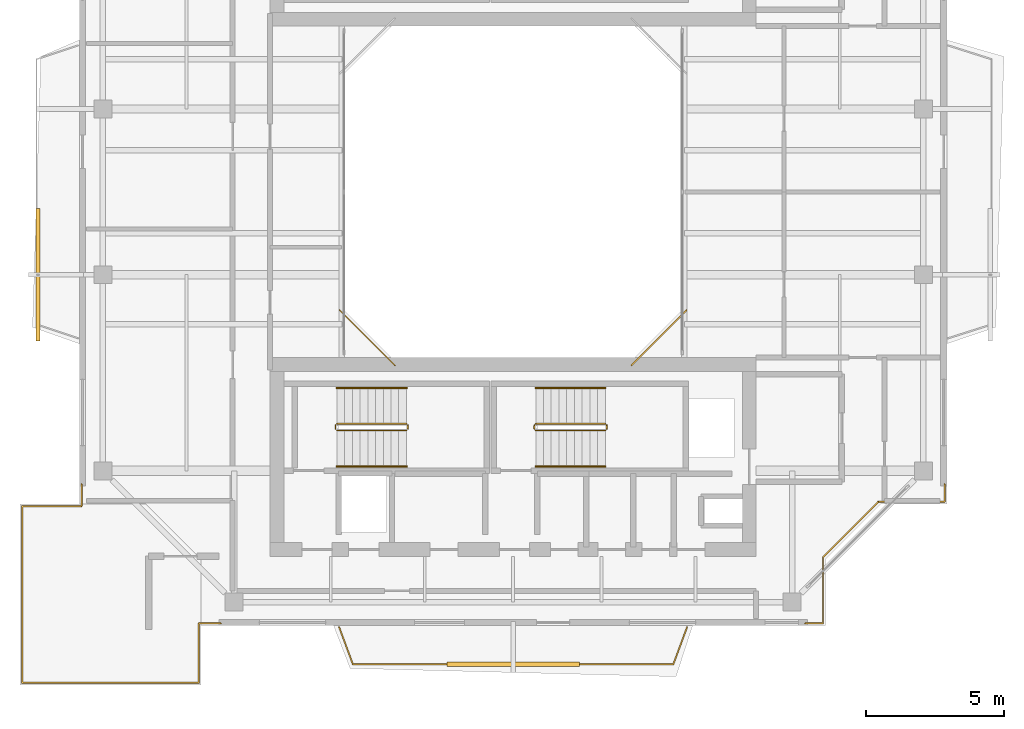
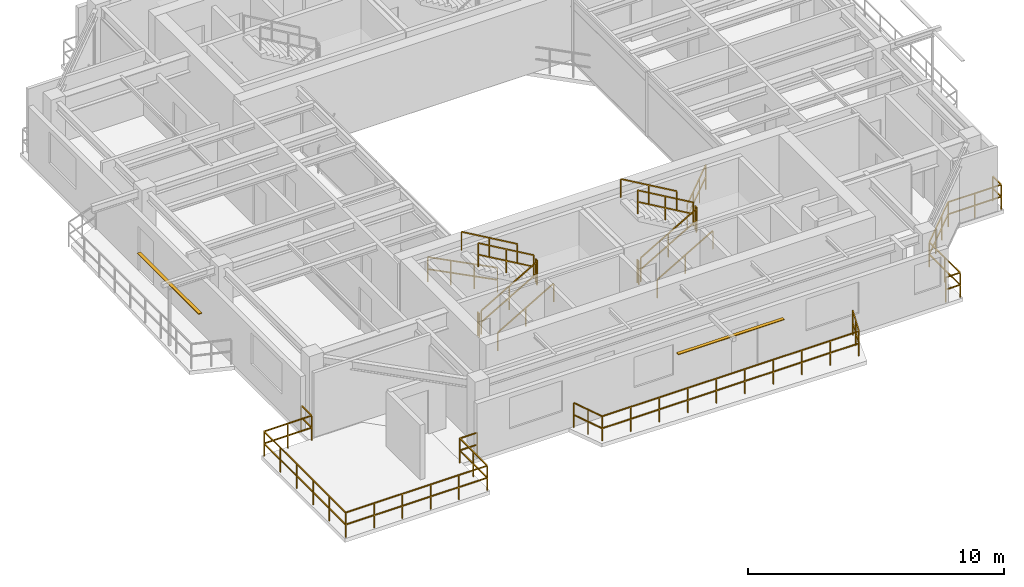
# One storey, part 12 of 14: 17 railings, 2 shading devices.
"""IFC4 building model written with IfcOpenShell, lengths in metres."""

from ifc_helpers import new_model, si_unit, direction, frame, origin, origin_2d, place, context, subcontext, project, spatial, rectangle, extrude, source, transform, mapped, material, material_profile, profile_set, type_object, element, save


model = new_model("IFC4")

# Units and contexts
model_context = context("Model", 3, precision=1e-05, world=origin(), true_north=direction((0.0, 1.0)))
body_context = subcontext(model_context, "Body", "Model", "MODEL_VIEW")
ifc_project = project(units=[si_unit("LENGTHUNIT", "METRE"), si_unit("AREAUNIT", "SQUARE_METRE"), si_unit("VOLUMEUNIT", "CUBIC_METRE"), si_unit("PLANEANGLEUNIT", "RADIAN"), si_unit("MASSUNIT", "GRAM", prefix="KILO"), si_unit("THERMODYNAMICTEMPERATUREUNIT", "KELVIN"), si_unit("POWERUNIT", "WATT")], contexts=[model_context])

# Site, building, storey
site_placement = place(None, origin())
site = spatial("IfcSite", under=ifc_project, at=site_placement, CompositionType="ELEMENT")
building_placement = place(site_placement, origin())
building = spatial("IfcBuilding", under=site, at=building_placement, Name="Qiaomeng Ring Towers", CompositionType="ELEMENT")
storey_placement = place(building_placement, frame((0.0, 0.0, 243.75)))
storey = spatial("IfcBuildingStorey", under=building, at=storey_placement, Name="L71", CompositionType="ELEMENT", Elevation=243.75)

# Railings
ifc_material_1 = material(Name="Low-E pale-green laminated safety glass", Category="glass")
railing_type_1 = type_object("IfcRailingType", Name="ARC-RL-BAL1", PredefinedType="BALUSTRADE", material=ifc_material_1)
railing_1_placement = place(storey_placement, frame((23.280029296875, 16.719970703125, 0.0)))
element("IfcRailing", 1, at=railing_1_placement, inside=storey, type_object=railing_type_1, Name="L71 Balustrade ARC-BAL-WELL1-L71-1", PredefinedType="BALUSTRADE", context=body_context, shape_type="SweptSolid", body=[
    extrude(rectangle(XDim=0.048095703125, YDim=0.048095703125, at=origin_2d()), frame((0.0, 0.0, 1.17578125), z_axis=(0.707106781187, 0.707106781187, 0.0), x_axis=(-0.707106781187, 0.707106781187, 0.0)), (0.0, 0.0, 1.0), 2.828369140625),
    extrude(rectangle(XDim=0.048095703125, YDim=0.048095703125, at=origin_2d()), frame((0.0, 0.0, 0.60009765625), z_axis=(0.707106781187, 0.707106781187, 0.0), x_axis=(-0.707106781187, 0.707106781187, 0.0)), (0.0, 0.0, 1.0), 2.828369140625),
    extrude(rectangle(XDim=0.0419921875, YDim=0.0419921875, at=origin_2d()), origin(), (0.0, 0.0, 1.0), 1.15185546875),
    extrude(rectangle(XDim=0.0419921875, YDim=0.0419921875, at=origin_2d()), frame((0.666748046875, 0.666748046875, 0.0)), (0.0, 0.0, 1.0), 1.15185546875),
    extrude(rectangle(XDim=0.0419921875, YDim=0.0419921875, at=origin_2d()), frame((1.333251953125, 1.333251953125, 0.0)), (0.0, 0.0, 1.0), 1.15185546875),
    extrude(rectangle(XDim=0.0419921875, YDim=0.0419921875, at=origin_2d()), frame((2.0, 2.0, 0.0)), (0.0, 0.0, 1.0), 1.15185546875),
])
railing_2_placement = place(storey_placement, frame((12.719970703125, 18.719970703125, 0.0)))
element("IfcRailing", 2, at=railing_2_placement, inside=storey, type_object=railing_type_1, Name="L71 Balustrade ARC-BAL-WELL1-L71-4", PredefinedType="BALUSTRADE", context=body_context, shape_type="SweptSolid", body=[
    extrude(rectangle(XDim=0.048095703125, YDim=0.048095703125, at=origin_2d()), frame((0.0, 0.0, 1.17578125), z_axis=(0.707106781187, -0.707106781187, 0.0), x_axis=(0.707106781187, 0.707106781187, 0.0)), (0.0, 0.0, 1.0), 2.828369140625),
    extrude(rectangle(XDim=0.048095703125, YDim=0.048095703125, at=origin_2d()), frame((0.0, 0.0, 0.60009765625), z_axis=(0.707106781187, -0.707106781187, 0.0), x_axis=(0.707106781187, 0.707106781187, 0.0)), (0.0, 0.0, 1.0), 2.828369140625),
    extrude(rectangle(XDim=0.0419921875, YDim=0.0419921875, at=origin_2d()), origin(), (0.0, 0.0, 1.0), 1.15185546875),
    extrude(rectangle(XDim=0.0419921875, YDim=0.0419921875, at=origin_2d()), frame((0.666748046875, -0.666748046875, 0.0)), (0.0, 0.0, 1.0), 1.15185546875),
    extrude(rectangle(XDim=0.0419921875, YDim=0.0419921875, at=origin_2d()), frame((1.333251953125, -1.333251953125, 0.0)), (0.0, 0.0, 1.0), 1.15185546875),
    extrude(rectangle(XDim=0.0419921875, YDim=0.0419921875, at=origin_2d()), frame((2.0, -2.0, 0.0)), (0.0, 0.0, 1.0), 1.15185546875),
])
railing_3_placement = place(storey_placement, frame((29.570068359375, 7.3798828125, 0.0)))
element("IfcRailing", 3, at=railing_3_placement, inside=storey, type_object=railing_type_1, Name="L71 Balustrade ARC-BAL-NOTCH1-L71-SE", PredefinedType="BALUSTRADE", context=body_context, shape_type="SweptSolid", body=[
    extrude(rectangle(XDim=0.048095703125, YDim=0.048095703125, at=origin_2d()), frame((0.0, 0.0, 1.17578125), z_axis=(1.0, 0.0, 0.0), x_axis=(0.0, 1.0, 0.0)), (0.0, 0.0, 1.0), 0.64990234375),
    extrude(rectangle(XDim=0.048095703125, YDim=0.048095703125, at=origin_2d()), frame((0.0, 0.0, 0.60009765625), z_axis=(1.0, 0.0, 0.0), x_axis=(0.0, 1.0, 0.0)), (0.0, 0.0, 1.0), 0.64990234375),
    extrude(rectangle(XDim=0.048095703125, YDim=0.048095703125, at=origin_2d()), frame((0.64990234375, 0.0, 1.17578125), z_axis=(0.0, 1.0, 0.0), x_axis=(-1.0, 0.0, 0.0)), (0.0, 0.0, 1.0), 2.400146484375),
    extrude(rectangle(XDim=0.048095703125, YDim=0.048095703125, at=origin_2d()), frame((0.64990234375, 0.0, 0.60009765625), z_axis=(0.0, 1.0, 0.0), x_axis=(-1.0, 0.0, 0.0)), (0.0, 0.0, 1.0), 2.400146484375),
    extrude(rectangle(XDim=0.048095703125, YDim=0.048095703125, at=origin_2d()), frame((0.64990234375, 2.400146484375, 1.17578125), z_axis=(0.707106781187, 0.707106781187, 0.0), x_axis=(-0.707106781187, 0.707106781187, 0.0)), (0.0, 0.0, 1.0), 2.828369140625),
    extrude(rectangle(XDim=0.048095703125, YDim=0.048095703125, at=origin_2d()), frame((0.64990234375, 2.400146484375, 0.60009765625), z_axis=(0.707106781187, 0.707106781187, 0.0), x_axis=(-0.707106781187, 0.707106781187, 0.0)), (0.0, 0.0, 1.0), 2.828369140625),
    extrude(rectangle(XDim=0.048095703125, YDim=0.048095703125, at=origin_2d()), frame((2.64990234375, 4.400146484375, 1.17578125), z_axis=(1.0, 0.0, 0.0), x_axis=(0.0, 1.0, 0.0)), (0.0, 0.0, 1.0), 2.400146484375),
    extrude(rectangle(XDim=0.048095703125, YDim=0.048095703125, at=origin_2d()), frame((2.64990234375, 4.400146484375, 0.60009765625), z_axis=(1.0, 0.0, 0.0), x_axis=(0.0, 1.0, 0.0)), (0.0, 0.0, 1.0), 2.400146484375),
    extrude(rectangle(XDim=0.048095703125, YDim=0.048095703125, at=origin_2d()), frame((5.050048828125, 4.400146484375, 1.17578125), z_axis=(0.0, 1.0, 0.0), x_axis=(-1.0, 0.0, 0.0)), (0.0, 0.0, 1.0), 0.64990234375),
    extrude(rectangle(XDim=0.048095703125, YDim=0.048095703125, at=origin_2d()), frame((5.050048828125, 4.400146484375, 0.60009765625), z_axis=(0.0, 1.0, 0.0), x_axis=(-1.0, 0.0, 0.0)), (0.0, 0.0, 1.0), 0.64990234375),
    extrude(rectangle(XDim=0.0419921875, YDim=0.0419921875, at=origin_2d()), origin(), (0.0, 0.0, 1.0), 1.15185546875),
    extrude(rectangle(XDim=0.0419921875, YDim=0.0419921875, at=origin_2d()), frame((0.64990234375, 0.0, 0.0)), (0.0, 0.0, 1.0), 1.15185546875),
    extrude(rectangle(XDim=0.0419921875, YDim=0.0419921875, at=origin_2d()), frame((0.64990234375, 1.2001953125, 0.0)), (0.0, 0.0, 1.0), 1.15185546875),
    extrude(rectangle(XDim=0.0419921875, YDim=0.0419921875, at=origin_2d()), frame((0.64990234375, 2.400146484375, 0.0)), (0.0, 0.0, 1.0), 1.15185546875),
    extrude(rectangle(XDim=0.0419921875, YDim=0.0419921875, at=origin_2d()), frame((1.316650390625, 3.06689453125, 0.0)), (0.0, 0.0, 1.0), 1.15185546875),
    extrude(rectangle(XDim=0.0419921875, YDim=0.0419921875, at=origin_2d()), frame((1.983154296875, 3.7333984375, 0.0)), (0.0, 0.0, 1.0), 1.15185546875),
    extrude(rectangle(XDim=0.0419921875, YDim=0.0419921875, at=origin_2d()), frame((2.64990234375, 4.400146484375, 0.0)), (0.0, 0.0, 1.0), 1.15185546875),
    extrude(rectangle(XDim=0.0419921875, YDim=0.0419921875, at=origin_2d()), frame((3.85009765625, 4.400146484375, 0.0)), (0.0, 0.0, 1.0), 1.15185546875),
    extrude(rectangle(XDim=0.0419921875, YDim=0.0419921875, at=origin_2d()), frame((5.050048828125, 4.400146484375, 0.0)), (0.0, 0.0, 1.0), 1.15185546875),
    extrude(rectangle(XDim=0.0419921875, YDim=0.0419921875, at=origin_2d()), frame((5.050048828125, 5.050048828125, 0.0)), (0.0, 0.0, 1.0), 1.15185546875),
])
railing_4_placement = place(storey_placement, frame((3.3798828125, 12.419921875, 0.0)))
element("IfcRailing", 4, at=railing_4_placement, inside=storey, type_object=railing_type_1, Name="L71 Balustrade ARC-BAL-L71-SPIRAL-SW", PredefinedType="BALUSTRADE", context=body_context, shape_type="SweptSolid", body=[
    extrude(rectangle(XDim=0.048095703125, YDim=0.048095703125, at=origin_2d()), frame((0.0, 0.0, 1.17578125), z_axis=(0.0, -1.0, 0.0), x_axis=(1.0, 0.0, 0.0)), (0.0, 0.0, 1.0), 0.7998046875),
    extrude(rectangle(XDim=0.048095703125, YDim=0.048095703125, at=origin_2d()), frame((0.0, 0.0, 0.60009765625), z_axis=(0.0, -1.0, 0.0), x_axis=(1.0, 0.0, 0.0)), (0.0, 0.0, 1.0), 0.7998046875),
    extrude(rectangle(XDim=0.048095703125, YDim=0.048095703125, at=origin_2d()), frame((0.0, -0.7998046875, 1.17578125), z_axis=(-1.0, 0.0, 0.0), x_axis=(0.0, -1.0, 0.0)), (0.0, 0.0, 1.0), 2.14990234375),
    extrude(rectangle(XDim=0.048095703125, YDim=0.048095703125, at=origin_2d()), frame((0.0, -0.7998046875, 0.60009765625), z_axis=(-1.0, 0.0, 0.0), x_axis=(0.0, -1.0, 0.0)), (0.0, 0.0, 1.0), 2.14990234375),
    extrude(rectangle(XDim=0.048095703125, YDim=0.048095703125, at=origin_2d()), frame((-2.14990234375, -0.7998046875, 1.17578125), z_axis=(0.0, -1.0, 0.0), x_axis=(1.0, 0.0, 0.0)), (0.0, 0.0, 1.0), 6.39013671875),
    extrude(rectangle(XDim=0.048095703125, YDim=0.048095703125, at=origin_2d()), frame((-2.14990234375, -0.7998046875, 0.60009765625), z_axis=(0.0, -1.0, 0.0), x_axis=(1.0, 0.0, 0.0)), (0.0, 0.0, 1.0), 6.39013671875),
    extrude(rectangle(XDim=0.048095703125, YDim=0.048095703125, at=origin_2d()), frame((-2.14990234375, -7.18994140625, 1.17578125), z_axis=(1.0, 0.0, 0.0), x_axis=(0.0, 1.0, 0.0)), (0.0, 0.0, 1.0), 6.39013671875),
    extrude(rectangle(XDim=0.048095703125, YDim=0.048095703125, at=origin_2d()), frame((-2.14990234375, -7.18994140625, 0.60009765625), z_axis=(1.0, 0.0, 0.0), x_axis=(0.0, 1.0, 0.0)), (0.0, 0.0, 1.0), 6.39013671875),
    extrude(rectangle(XDim=0.048095703125, YDim=0.048095703125, at=origin_2d()), frame((4.240234375, -7.18994140625, 1.17578125), z_axis=(0.0, 1.0, 0.0), x_axis=(-1.0, 0.0, 0.0)), (0.0, 0.0, 1.0), 2.14990234375),
    extrude(rectangle(XDim=0.048095703125, YDim=0.048095703125, at=origin_2d()), frame((4.240234375, -7.18994140625, 0.60009765625), z_axis=(0.0, 1.0, 0.0), x_axis=(-1.0, 0.0, 0.0)), (0.0, 0.0, 1.0), 2.14990234375),
    extrude(rectangle(XDim=0.048095703125, YDim=0.048095703125, at=origin_2d()), frame((4.240234375, -5.0400390625, 1.17578125), z_axis=(1.0, 0.0, 0.0), x_axis=(0.0, 1.0, 0.0)), (0.0, 0.0, 1.0), 0.7998046875),
    extrude(rectangle(XDim=0.048095703125, YDim=0.048095703125, at=origin_2d()), frame((4.240234375, -5.0400390625, 0.60009765625), z_axis=(1.0, 0.0, 0.0), x_axis=(0.0, 1.0, 0.0)), (0.0, 0.0, 1.0), 0.7998046875),
    extrude(rectangle(XDim=0.0419921875, YDim=0.0419921875, at=origin_2d()), origin(), (0.0, 0.0, 1.0), 1.15185546875),
    extrude(rectangle(XDim=0.0419921875, YDim=0.0419921875, at=origin_2d()), frame((0.0, -0.7998046875, 0.0)), (0.0, 0.0, 1.0), 1.15185546875),
    extrude(rectangle(XDim=0.0419921875, YDim=0.0419921875, at=origin_2d()), frame((-1.074951171875, -0.7998046875, 0.0)), (0.0, 0.0, 1.0), 1.15185546875),
    extrude(rectangle(XDim=0.0419921875, YDim=0.0419921875, at=origin_2d()), frame((-2.14990234375, -0.7998046875, 0.0)), (0.0, 0.0, 1.0), 1.15185546875),
    extrude(rectangle(XDim=0.0419921875, YDim=0.0419921875, at=origin_2d()), frame((-2.14990234375, -2.077880859375, 0.0)), (0.0, 0.0, 1.0), 1.15185546875),
    extrude(rectangle(XDim=0.0419921875, YDim=0.0419921875, at=origin_2d()), frame((-2.14990234375, -3.35595703125, 0.0)), (0.0, 0.0, 1.0), 1.15185546875),
    extrude(rectangle(XDim=0.0419921875, YDim=0.0419921875, at=origin_2d()), frame((-2.14990234375, -4.6337890625, 0.0)), (0.0, 0.0, 1.0), 1.15185546875),
    extrude(rectangle(XDim=0.0419921875, YDim=0.0419921875, at=origin_2d()), frame((-2.14990234375, -5.911865234375, 0.0)), (0.0, 0.0, 1.0), 1.15185546875),
    extrude(rectangle(XDim=0.0419921875, YDim=0.0419921875, at=origin_2d()), frame((-2.14990234375, -7.18994140625, 0.0)), (0.0, 0.0, 1.0), 1.15185546875),
    extrude(rectangle(XDim=0.0419921875, YDim=0.0419921875, at=origin_2d()), frame((-0.871826171875, -7.18994140625, 0.0)), (0.0, 0.0, 1.0), 1.15185546875),
    extrude(rectangle(XDim=0.0419921875, YDim=0.0419921875, at=origin_2d()), frame((0.40625, -7.18994140625, 0.0)), (0.0, 0.0, 1.0), 1.15185546875),
    extrude(rectangle(XDim=0.0419921875, YDim=0.0419921875, at=origin_2d()), frame((1.68408203125, -7.18994140625, 0.0)), (0.0, 0.0, 1.0), 1.15185546875),
    extrude(rectangle(XDim=0.0419921875, YDim=0.0419921875, at=origin_2d()), frame((2.962158203125, -7.18994140625, 0.0)), (0.0, 0.0, 1.0), 1.15185546875),
    extrude(rectangle(XDim=0.0419921875, YDim=0.0419921875, at=origin_2d()), frame((4.240234375, -7.18994140625, 0.0)), (0.0, 0.0, 1.0), 1.15185546875),
    extrude(rectangle(XDim=0.0419921875, YDim=0.0419921875, at=origin_2d()), frame((4.240234375, -6.114990234375, 0.0)), (0.0, 0.0, 1.0), 1.15185546875),
    extrude(rectangle(XDim=0.0419921875, YDim=0.0419921875, at=origin_2d()), frame((4.240234375, -5.0400390625, 0.0)), (0.0, 0.0, 1.0), 1.15185546875),
    extrude(rectangle(XDim=0.0419921875, YDim=0.0419921875, at=origin_2d()), frame((5.0400390625, -5.0400390625, 0.0)), (0.0, 0.0, 1.0), 1.15185546875),
])
railing_5_placement = place(storey_placement, frame((12.699951171875, 7.25, 0.0)))
element("IfcRailing", 5, at=railing_5_placement, inside=storey, type_object=railing_type_1, Name="L71 Balustrade ARC-BAL-L71-T1-S", PredefinedType="BALUSTRADE", context=body_context, shape_type="SweptSolid", body=[
    extrude(rectangle(XDim=0.048095703125, YDim=0.048095703125, at=origin_2d()), frame((0.0, 0.0, 1.17578125), z_axis=(0.34729226376, -0.937756942673, 0.0), x_axis=(0.937756942673, 0.34729226376, 0.0)), (0.0, 0.0, 1.0), 1.439697265625),
    extrude(rectangle(XDim=0.048095703125, YDim=0.048095703125, at=origin_2d()), frame((0.0, 0.0, 0.60009765625), z_axis=(0.34729226376, -0.937756942673, 0.0), x_axis=(0.937756942673, 0.34729226376, 0.0)), (0.0, 0.0, 1.0), 1.439697265625),
    extrude(rectangle(XDim=0.048095703125, YDim=0.048095703125, at=origin_2d()), frame((0.5, -1.35009765625, 1.17578125), z_axis=(1.0, 0.0, 0.0), x_axis=(0.0, 1.0, 0.0)), (0.0, 0.0, 1.0), 11.60009765625),
    extrude(rectangle(XDim=0.048095703125, YDim=0.048095703125, at=origin_2d()), frame((0.5, -1.35009765625, 0.60009765625), z_axis=(1.0, 0.0, 0.0), x_axis=(0.0, 1.0, 0.0)), (0.0, 0.0, 1.0), 11.60009765625),
    extrude(rectangle(XDim=0.048095703125, YDim=0.048095703125, at=origin_2d()), frame((12.10009765625, -1.35009765625, 1.17578125), z_axis=(0.34729226376, 0.937756942673, 0.0), x_axis=(-0.937756942673, 0.34729226376, 0.0)), (0.0, 0.0, 1.0), 1.439697265625),
    extrude(rectangle(XDim=0.048095703125, YDim=0.048095703125, at=origin_2d()), frame((12.10009765625, -1.35009765625, 0.60009765625), z_axis=(0.34729226376, 0.937756942673, 0.0), x_axis=(-0.937756942673, 0.34729226376, 0.0)), (0.0, 0.0, 1.0), 1.439697265625),
    extrude(rectangle(XDim=0.0419921875, YDim=0.0419921875, at=origin_2d()), origin(), (0.0, 0.0, 1.0), 1.15185546875),
    extrude(rectangle(XDim=0.0419921875, YDim=0.0419921875, at=origin_2d()), frame((0.25, -0.675048828125, 0.0)), (0.0, 0.0, 1.0), 1.15185546875),
    extrude(rectangle(XDim=0.0419921875, YDim=0.0419921875, at=origin_2d()), frame((0.5, -1.35009765625, 0.0)), (0.0, 0.0, 1.0), 1.15185546875),
    extrude(rectangle(XDim=0.0419921875, YDim=0.0419921875, at=origin_2d()), frame((1.788818359375, -1.35009765625, 0.0)), (0.0, 0.0, 1.0), 1.15185546875),
    extrude(rectangle(XDim=0.0419921875, YDim=0.0419921875, at=origin_2d()), frame((3.077880859375, -1.35009765625, 0.0)), (0.0, 0.0, 1.0), 1.15185546875),
    extrude(rectangle(XDim=0.0419921875, YDim=0.0419921875, at=origin_2d()), frame((4.36669921875, -1.35009765625, 0.0)), (0.0, 0.0, 1.0), 1.15185546875),
    extrude(rectangle(XDim=0.0419921875, YDim=0.0419921875, at=origin_2d()), frame((5.655517578125, -1.35009765625, 0.0)), (0.0, 0.0, 1.0), 1.15185546875),
    extrude(rectangle(XDim=0.0419921875, YDim=0.0419921875, at=origin_2d()), frame((6.944580078125, -1.35009765625, 0.0)), (0.0, 0.0, 1.0), 1.15185546875),
    extrude(rectangle(XDim=0.0419921875, YDim=0.0419921875, at=origin_2d()), frame((8.2333984375, -1.35009765625, 0.0)), (0.0, 0.0, 1.0), 1.15185546875),
    extrude(rectangle(XDim=0.0419921875, YDim=0.0419921875, at=origin_2d()), frame((9.522216796875, -1.35009765625, 0.0)), (0.0, 0.0, 1.0), 1.15185546875),
    extrude(rectangle(XDim=0.0419921875, YDim=0.0419921875, at=origin_2d()), frame((10.811279296875, -1.35009765625, 0.0)), (0.0, 0.0, 1.0), 1.15185546875),
    extrude(rectangle(XDim=0.0419921875, YDim=0.0419921875, at=origin_2d()), frame((12.10009765625, -1.35009765625, 0.0)), (0.0, 0.0, 1.0), 1.15185546875),
    extrude(rectangle(XDim=0.0419921875, YDim=0.0419921875, at=origin_2d()), frame((12.35009765625, -0.675048828125, 0.0)), (0.0, 0.0, 1.0), 1.15185546875),
    extrude(rectangle(XDim=0.0419921875, YDim=0.0419921875, at=origin_2d()), frame((12.60009765625, 0.0, 0.0)), (0.0, 0.0, 1.0), 1.15185546875),
])
ifc_material_2 = material(Name="Galvanised steel", Category="steel")
railing_type_2 = type_object("IfcRailingType", Name="ARC-RL-GUARD", PredefinedType="GUARDRAIL", material=ifc_material_2)
railing_6_placement = place(storey_placement, frame((12.6201171875, 14.360107421875, 0.16259765625)))
element("IfcRailing", 6, at=railing_6_placement, inside=storey, type_object=railing_type_2, Name="L71 ST3 stair guard 1", PredefinedType="GUARDRAIL", context=body_context, shape_type="SweptSolid", body=[
    extrude(rectangle(XDim=0.048095703125, YDim=0.048095703125, at=origin_2d()), frame((0.0, 0.0, 1.1259765625), z_axis=(0.864892226395, 0.0, 0.501957604506), x_axis=(0.0, 1.0, 0.0)), (0.0, 0.0, 1.0), 2.913330078125),
    extrude(rectangle(XDim=0.048095703125, YDim=0.048095703125, at=origin_2d()), frame((0.0, 0.0, 0.574951171875), z_axis=(0.864892226395, 0.0, 0.501957604506), x_axis=(0.0, 1.0, 0.0)), (0.0, 0.0, 1.0), 2.913330078125),
    extrude(rectangle(XDim=0.0419921875, YDim=0.0419921875, at=origin_2d()), origin(), (0.0, 0.0, 1.0), 1.101806640625),
    extrude(rectangle(XDim=0.0419921875, YDim=0.0419921875, at=origin_2d()), frame((1.259765625, 0.0, 0.731201171875)), (0.0, 0.0, 1.0), 1.101806640625),
    extrude(rectangle(XDim=0.0419921875, YDim=0.0419921875, at=origin_2d()), frame((2.519775390625, 0.0, 1.46240234375)), (0.0, 0.0, 1.0), 1.101806640625),
])
railing_7_placement = place(storey_placement, frame((15.18994140625, 14.409912109375, 1.625)))
element("IfcRailing", 7, at=railing_7_placement, inside=storey, type_object=railing_type_2, Name="L71 ST3 stair guard 2", PredefinedType="GUARDRAIL", context=body_context, shape_type="SweptSolid", body=[
    extrude(rectangle(XDim=0.048095703125, YDim=0.048095703125, at=origin_2d()), frame((0.0, 0.0, 1.1259765625), z_axis=(0.0, 1.0, 0.0), x_axis=(-1.0, 0.0, 0.0)), (0.0, 0.0, 1.0), 0.14013671875),
    extrude(rectangle(XDim=0.048095703125, YDim=0.048095703125, at=origin_2d()), frame((0.0, 0.0, 0.574951171875), z_axis=(0.0, 1.0, 0.0), x_axis=(-1.0, 0.0, 0.0)), (0.0, 0.0, 1.0), 0.14013671875),
    extrude(rectangle(XDim=0.0419921875, YDim=0.0419921875, at=origin_2d()), origin(), (0.0, 0.0, 1.0), 1.101806640625),
    extrude(rectangle(XDim=0.0419921875, YDim=0.0419921875, at=origin_2d()), frame((0.0, 0.14013671875, 0.0)), (0.0, 0.0, 1.0), 1.101806640625),
])
railing_8_placement = place(storey_placement, frame((15.139892578125, 14.60009765625, 1.78759765625)))
element("IfcRailing", 8, at=railing_8_placement, inside=storey, type_object=railing_type_2, Name="L71 ST3 stair guard 3", PredefinedType="GUARDRAIL", context=body_context, shape_type="SweptSolid", body=[
    extrude(rectangle(XDim=0.048095703125, YDim=0.048095703125, at=origin_2d()), frame((0.0, 0.0, 1.1259765625), z_axis=(-0.864892226395, 0.0, 0.501957604506), x_axis=(0.0, -1.0, 0.0)), (0.0, 0.0, 1.0), 2.913330078125),
    extrude(rectangle(XDim=0.048095703125, YDim=0.048095703125, at=origin_2d()), frame((0.0, 0.0, 0.574951171875), z_axis=(-0.864892226395, 0.0, 0.501957604506), x_axis=(0.0, -1.0, 0.0)), (0.0, 0.0, 1.0), 2.913330078125),
    extrude(rectangle(XDim=0.0419921875, YDim=0.0419921875, at=origin_2d()), origin(), (0.0, 0.0, 1.0), 1.101806640625),
    extrude(rectangle(XDim=0.0419921875, YDim=0.0419921875, at=origin_2d()), frame((-1.259765625, 0.0, 0.731201171875)), (0.0, 0.0, 1.0), 1.101806640625),
    extrude(rectangle(XDim=0.0419921875, YDim=0.0419921875, at=origin_2d()), frame((-2.519775390625, 0.0, 1.46240234375)), (0.0, 0.0, 1.0), 1.101806640625),
])
railing_9_placement = place(storey_placement, frame((12.570068359375, 14.409912109375, 0.0)))
element("IfcRailing", 9, at=railing_9_placement, inside=storey, type_object=railing_type_2, Name="L71 ST3 stair guard 4", PredefinedType="GUARDRAIL", context=body_context, shape_type="SweptSolid", body=[
    extrude(rectangle(XDim=0.048095703125, YDim=0.048095703125, at=origin_2d()), frame((0.0, 0.0, 1.1259765625), z_axis=(0.0, 1.0, 0.0), x_axis=(-1.0, 0.0, 0.0)), (0.0, 0.0, 1.0), 0.14013671875),
    extrude(rectangle(XDim=0.048095703125, YDim=0.048095703125, at=origin_2d()), frame((0.0, 0.0, 0.574951171875), z_axis=(0.0, 1.0, 0.0), x_axis=(-1.0, 0.0, 0.0)), (0.0, 0.0, 1.0), 0.14013671875),
    extrude(rectangle(XDim=0.0419921875, YDim=0.0419921875, at=origin_2d()), origin(), (0.0, 0.0, 1.0), 1.101806640625),
    extrude(rectangle(XDim=0.0419921875, YDim=0.0419921875, at=origin_2d()), frame((0.0, 0.14013671875, 0.0)), (0.0, 0.0, 1.0), 1.101806640625),
])
railing_10_placement = place(storey_placement, frame((19.820068359375, 14.360107421875, 0.16259765625)))
element("IfcRailing", 10, at=railing_10_placement, inside=storey, type_object=railing_type_2, Name="L71 ST4 stair guard 1", PredefinedType="GUARDRAIL", context=body_context, shape_type="SweptSolid", body=[
    extrude(rectangle(XDim=0.048095703125, YDim=0.048095703125, at=origin_2d()), frame((0.0, 0.0, 1.1259765625), z_axis=(0.864913338283, 0.0, 0.50192122615), x_axis=(0.0, 1.0, 0.0)), (0.0, 0.0, 1.0), 2.91357421875),
    extrude(rectangle(XDim=0.048095703125, YDim=0.048095703125, at=origin_2d()), frame((0.0, 0.0, 0.574951171875), z_axis=(0.864913338283, 0.0, 0.50192122615), x_axis=(0.0, 1.0, 0.0)), (0.0, 0.0, 1.0), 2.91357421875),
    extrude(rectangle(XDim=0.0419921875, YDim=0.0419921875, at=origin_2d()), origin(), (0.0, 0.0, 1.0), 1.101806640625),
    extrude(rectangle(XDim=0.0419921875, YDim=0.0419921875, at=origin_2d()), frame((1.260009765625, 0.0, 0.731201171875)), (0.0, 0.0, 1.0), 1.101806640625),
    extrude(rectangle(XDim=0.0419921875, YDim=0.0419921875, at=origin_2d()), frame((2.52001953125, 0.0, 1.46240234375)), (0.0, 0.0, 1.0), 1.101806640625),
])
railing_11_placement = place(storey_placement, frame((22.389892578125, 14.409912109375, 1.625)))
element("IfcRailing", 11, at=railing_11_placement, inside=storey, type_object=railing_type_2, Name="L71 ST4 stair guard 2", PredefinedType="GUARDRAIL", context=body_context, shape_type="SweptSolid", body=[
    extrude(rectangle(XDim=0.048095703125, YDim=0.048095703125, at=origin_2d()), frame((0.0, 0.0, 1.1259765625), z_axis=(0.0, 1.0, 0.0), x_axis=(-1.0, 0.0, 0.0)), (0.0, 0.0, 1.0), 0.14013671875),
    extrude(rectangle(XDim=0.048095703125, YDim=0.048095703125, at=origin_2d()), frame((0.0, 0.0, 0.574951171875), z_axis=(0.0, 1.0, 0.0), x_axis=(-1.0, 0.0, 0.0)), (0.0, 0.0, 1.0), 0.14013671875),
    extrude(rectangle(XDim=0.0419921875, YDim=0.0419921875, at=origin_2d()), origin(), (0.0, 0.0, 1.0), 1.101806640625),
    extrude(rectangle(XDim=0.0419921875, YDim=0.0419921875, at=origin_2d()), frame((0.0, 0.14013671875, 0.0)), (0.0, 0.0, 1.0), 1.101806640625),
])
railing_12_placement = place(storey_placement, frame((22.340087890625, 14.60009765625, 1.78759765625)))
element("IfcRailing", 12, at=railing_12_placement, inside=storey, type_object=railing_type_2, Name="L71 ST4 stair guard 3", PredefinedType="GUARDRAIL", context=body_context, shape_type="SweptSolid", body=[
    extrude(rectangle(XDim=0.048095703125, YDim=0.048095703125, at=origin_2d()), frame((0.0, 0.0, 1.1259765625), z_axis=(-0.864913338283, 0.0, 0.50192122615), x_axis=(0.0, -1.0, 0.0)), (0.0, 0.0, 1.0), 2.91357421875),
    extrude(rectangle(XDim=0.048095703125, YDim=0.048095703125, at=origin_2d()), frame((0.0, 0.0, 0.574951171875), z_axis=(-0.864913338283, 0.0, 0.50192122615), x_axis=(0.0, -1.0, 0.0)), (0.0, 0.0, 1.0), 2.91357421875),
    extrude(rectangle(XDim=0.0419921875, YDim=0.0419921875, at=origin_2d()), origin(), (0.0, 0.0, 1.0), 1.101806640625),
    extrude(rectangle(XDim=0.0419921875, YDim=0.0419921875, at=origin_2d()), frame((-1.260009765625, 0.0, 0.731201171875)), (0.0, 0.0, 1.0), 1.101806640625),
    extrude(rectangle(XDim=0.0419921875, YDim=0.0419921875, at=origin_2d()), frame((-2.52001953125, 0.0, 1.46240234375)), (0.0, 0.0, 1.0), 1.101806640625),
])
railing_13_placement = place(storey_placement, frame((19.77001953125, 14.409912109375, 0.0)))
element("IfcRailing", 13, at=railing_13_placement, inside=storey, type_object=railing_type_2, Name="L71 ST4 stair guard 4", PredefinedType="GUARDRAIL", context=body_context, shape_type="SweptSolid", body=[
    extrude(rectangle(XDim=0.048095703125, YDim=0.048095703125, at=origin_2d()), frame((0.0, 0.0, 1.1259765625), z_axis=(0.0, 1.0, 0.0), x_axis=(-1.0, 0.0, 0.0)), (0.0, 0.0, 1.0), 0.14013671875),
    extrude(rectangle(XDim=0.048095703125, YDim=0.048095703125, at=origin_2d()), frame((0.0, 0.0, 0.574951171875), z_axis=(0.0, 1.0, 0.0), x_axis=(-1.0, 0.0, 0.0)), (0.0, 0.0, 1.0), 0.14013671875),
    extrude(rectangle(XDim=0.0419921875, YDim=0.0419921875, at=origin_2d()), origin(), (0.0, 0.0, 1.0), 1.101806640625),
    extrude(rectangle(XDim=0.0419921875, YDim=0.0419921875, at=origin_2d()), frame((0.0, 0.14013671875, 0.0)), (0.0, 0.0, 1.0), 1.101806640625),
])
ifc_material_3 = material(Name="Stainless steel 316", Category="steel")
railing_type_3 = type_object("IfcRailingType", Name="ARC-RL-HAND", PredefinedType="HANDRAIL", material=ifc_material_3)
railing_14_placement = place(storey_placement, frame((12.6201171875, 13.06005859375, 0.16259765625)))
element("IfcRailing", 14, at=railing_14_placement, inside=storey, type_object=railing_type_3, Name="L71 ST3 stair handrail 1", PredefinedType="HANDRAIL", context=body_context, shape_type="SweptSolid", body=[
    extrude(rectangle(XDim=0.048095703125, YDim=0.048095703125, at=origin_2d()), frame((0.0, 0.0, 0.8759765625), z_axis=(0.864892226395, 0.0, 0.501957604506), x_axis=(0.0, 1.0, 0.0)), (0.0, 0.0, 1.0), 2.913330078125),
    extrude(rectangle(XDim=0.0419921875, YDim=0.0419921875, at=origin_2d()), origin(), (0.0, 0.0, 1.0), 0.851806640625),
    extrude(rectangle(XDim=0.0419921875, YDim=0.0419921875, at=origin_2d()), frame((1.259765625, 0.0, 0.731201171875)), (0.0, 0.0, 1.0), 0.851806640625),
    extrude(rectangle(XDim=0.0419921875, YDim=0.0419921875, at=origin_2d()), frame((2.519775390625, 0.0, 1.46240234375)), (0.0, 0.0, 1.0), 0.851806640625),
])
railing_15_placement = place(storey_placement, frame((15.139892578125, 15.89990234375, 1.78759765625)))
element("IfcRailing", 15, at=railing_15_placement, inside=storey, type_object=railing_type_3, Name="L71 ST3 stair handrail 2", PredefinedType="HANDRAIL", context=body_context, shape_type="SweptSolid", body=[
    extrude(rectangle(XDim=0.048095703125, YDim=0.048095703125, at=origin_2d()), frame((0.0, 0.0, 0.8759765625), z_axis=(-0.864892226395, 0.0, 0.501957604506), x_axis=(0.0, -1.0, 0.0)), (0.0, 0.0, 1.0), 2.913330078125),
    extrude(rectangle(XDim=0.0419921875, YDim=0.0419921875, at=origin_2d()), origin(), (0.0, 0.0, 1.0), 0.851806640625),
    extrude(rectangle(XDim=0.0419921875, YDim=0.0419921875, at=origin_2d()), frame((-1.259765625, 0.0, 0.731201171875)), (0.0, 0.0, 1.0), 0.851806640625),
    extrude(rectangle(XDim=0.0419921875, YDim=0.0419921875, at=origin_2d()), frame((-2.519775390625, 0.0, 1.46240234375)), (0.0, 0.0, 1.0), 0.851806640625),
])
railing_16_placement = place(storey_placement, frame((19.820068359375, 13.06005859375, 0.16259765625)))
element("IfcRailing", 16, at=railing_16_placement, inside=storey, type_object=railing_type_3, Name="L71 ST4 stair handrail 1", PredefinedType="HANDRAIL", context=body_context, shape_type="SweptSolid", body=[
    extrude(rectangle(XDim=0.048095703125, YDim=0.048095703125, at=origin_2d()), frame((0.0, 0.0, 0.8759765625), z_axis=(0.864913338283, 0.0, 0.50192122615), x_axis=(0.0, 1.0, 0.0)), (0.0, 0.0, 1.0), 2.91357421875),
    extrude(rectangle(XDim=0.0419921875, YDim=0.0419921875, at=origin_2d()), origin(), (0.0, 0.0, 1.0), 0.851806640625),
    extrude(rectangle(XDim=0.0419921875, YDim=0.0419921875, at=origin_2d()), frame((1.260009765625, 0.0, 0.731201171875)), (0.0, 0.0, 1.0), 0.851806640625),
    extrude(rectangle(XDim=0.0419921875, YDim=0.0419921875, at=origin_2d()), frame((2.52001953125, 0.0, 1.46240234375)), (0.0, 0.0, 1.0), 0.851806640625),
])
railing_17_placement = place(storey_placement, frame((22.340087890625, 15.89990234375, 1.78759765625)))
element("IfcRailing", 17, at=railing_17_placement, inside=storey, type_object=railing_type_3, Name="L71 ST4 stair handrail 2", PredefinedType="HANDRAIL", context=body_context, shape_type="SweptSolid", body=[
    extrude(rectangle(XDim=0.048095703125, YDim=0.048095703125, at=origin_2d()), frame((0.0, 0.0, 0.8759765625), z_axis=(-0.864913338283, 0.0, 0.50192122615), x_axis=(0.0, -1.0, 0.0)), (0.0, 0.0, 1.0), 2.91357421875),
    extrude(rectangle(XDim=0.0419921875, YDim=0.0419921875, at=origin_2d()), origin(), (0.0, 0.0, 1.0), 0.851806640625),
    extrude(rectangle(XDim=0.0419921875, YDim=0.0419921875, at=origin_2d()), frame((-1.260009765625, 0.0, 0.731201171875)), (0.0, 0.0, 1.0), 0.851806640625),
    extrude(rectangle(XDim=0.0419921875, YDim=0.0419921875, at=origin_2d()), frame((-2.52001953125, 0.0, 1.46240234375)), (0.0, 0.0, 1.0), 0.851806640625),
])

# Shading devices
ifc_material_4 = material(Name="Fluorocarbon dark-grey aluminium", Category="aluminium")
ifc_material_profile = material_profile(ifc_material_4, rectangle(XDim=0.14990234375, YDim=0.034912109375, at=origin_2d()), Name="LV BLADE 150x35")
ifc_profile_set = profile_set([ifc_material_profile], Name="Fluorocarbon dark-grey aluminium")
shading_device_type = type_object("IfcShadingDeviceType", Name="ARC-SHD-SUN", PredefinedType="AWNING", material=ifc_profile_set)
shared_shape = source(origin(), body_context, "Body", "SweptSolid", [
    extrude(rectangle(XDim=0.14990234375, YDim=0.034912109375, at=origin_2d()), origin(), (0.0, 0.0, 1.0), 4.7998046875),
])
for number, where, z_axis, x_axis, name in (
    (18, (16.60009765625, 5.89990234375, 2.969970703125), (1.0, 0.0, 0.0), (0.0, 1.0, 0.0), "L71 Ventilated Outer-Skin Sunshade S"),
    (19, (1.800048828125, 17.60009765625, 2.969970703125), (0.0, 1.0, 0.0), (-1.0, 0.0, 0.0), "L71 Ventilated Outer-Skin Sunshade W"),
):
    element("IfcShadingDevice", number, at=place(storey_placement, frame(where, z_axis=z_axis, x_axis=x_axis)), inside=storey, type_object=shading_device_type, Name=name, PredefinedType="AWNING", context=body_context, shape_type="MappedRepresentation", body=[
        mapped(shared_shape, transform((0.0, 0.0, 0.0), x_axis=(1.0, 0.0, 0.0), y_axis=(0.0, 1.0, 0.0), z_axis=(0.0, 0.0, 1.0), scale=1.0)),
    ])

save(model, "model.ifc")
